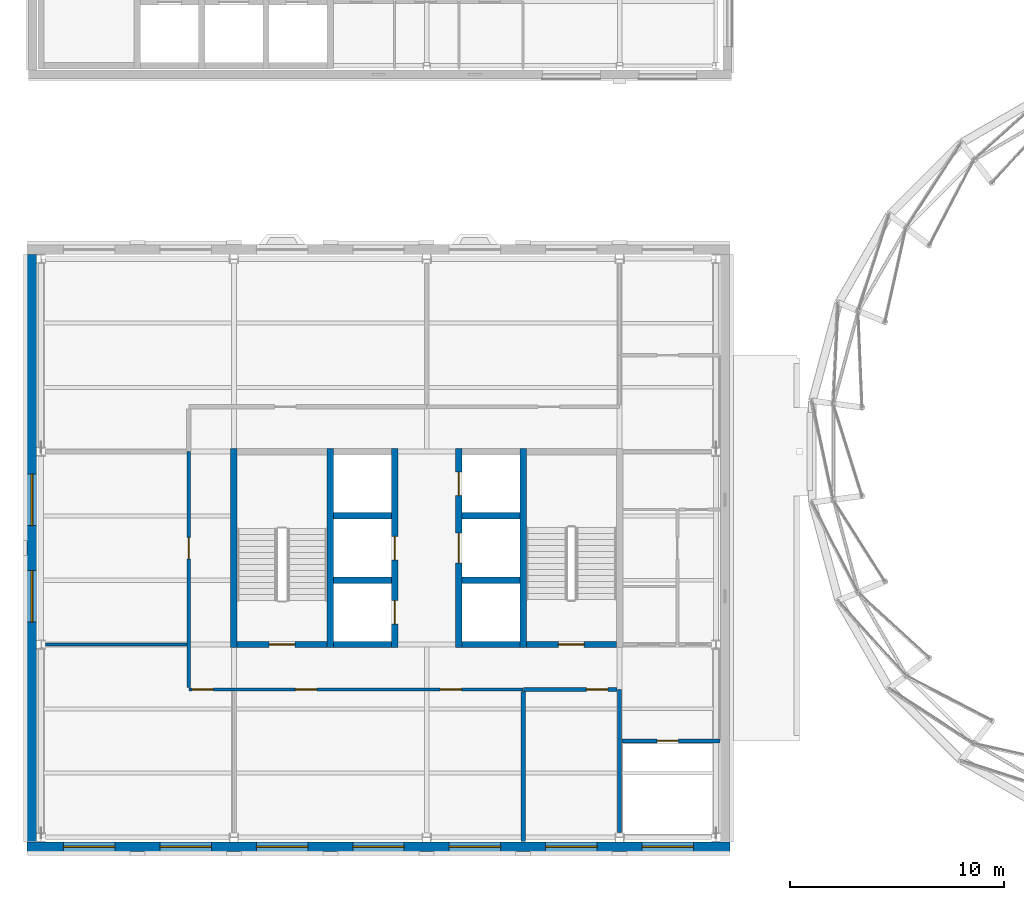
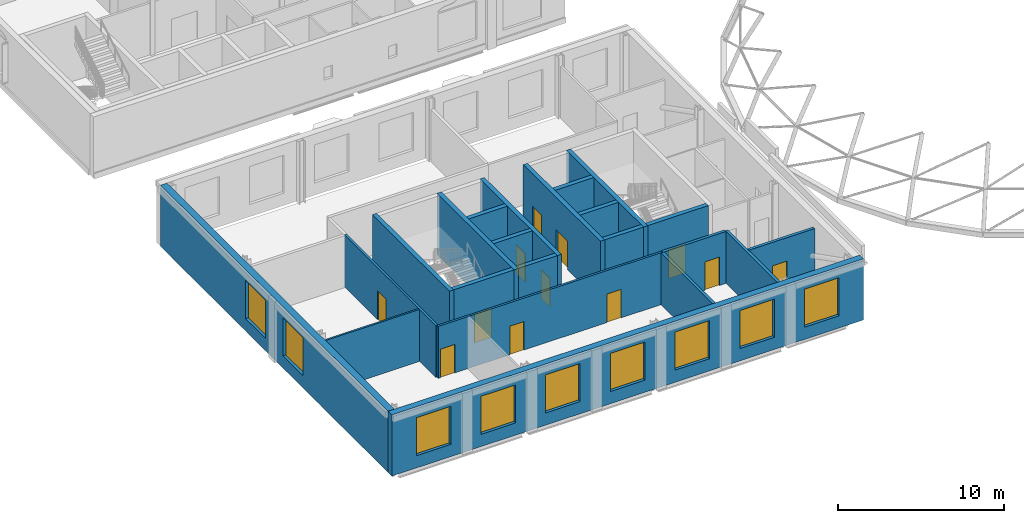
# One storey, part 23 of 59: 22 walls, 12 doors, 9 windows, 21 openings.
"""IFC4 building model written with IfcOpenShell, lengths in metres."""

import ifcopenshell
import ifcopenshell.guid

model = None  # the IFC model being written
_history = None  # IfcOwnerHistory: only IFC2X3 demands one
_inside = {}  # id of a spatial element -> (the spatial element, [elements in it])
_under = {}  # id of a project, library or spatial element -> (it, [spatial elements below it])
_declared = {}  # id of a project -> (the project, [libraries it declares])
_typed = {}  # id of a type object -> (the type object, [elements of that type])
_made_of = {}  # id of a material, layer set ... -> (it, [elements and type objects made of it])


def new_model(schema):
    """Start an empty IFC model of exactly this schema.

    Asked for "IFC4X3", IfcOpenShell would pick the latest addendum, in which some entities
    have other attributes; the version numbers below select the first issue.
    IFC2X3 requires an IfcOwnerHistory on every rooted entity: one is made here for all.
    """
    global model, _history
    if schema == "IFC4X3":
        model = ifcopenshell.file(schema_version=(4, 3, 0, 0))
    else:
        model = ifcopenshell.file(schema=schema)
    _inside.clear()
    _under.clear()
    _declared.clear()
    _typed.clear()
    _made_of.clear()
    _history = None
    if model.schema == "IFC2X3":
        org = make("IfcOrganization", Name="unknown")
        user = make(
            "IfcPersonAndOrganization",
            ThePerson=make("IfcPerson", FamilyName="unknown"),
            TheOrganization=org,
        )
        app = make(
            "IfcApplication",
            ApplicationDeveloper=org,
            Version="unknown",
            ApplicationFullName="unknown",
            ApplicationIdentifier="unknown",
        )
        _history = make(
            "IfcOwnerHistory",
            OwningUser=user,
            OwningApplication=app,
            ChangeAction="ADDED",
            CreationDate=0,
        )
    return model


def make(cls, **values):
    """One entity of the class cls with the attributes given. An attribute that is None is left unset."""
    return model.create_entity(
        cls, **{name: value for name, value in values.items() if value is not None}
    )


def rooted(cls, **values):
    """An entity with a GlobalId (a new one), such as an element, a storey or a relation."""
    return make(cls, GlobalId=ifcopenshell.guid.new(), OwnerHistory=_history, **values)


def si_unit(unit_type, name, prefix=None):
    """IfcSIUnit, for example si_unit("LENGTHUNIT", "METRE", prefix="MILLI")."""
    return make("IfcSIUnit", UnitType=unit_type, Prefix=prefix, Name=name)


def assignment(units):
    """IfcUnitAssignment: the units of a project."""
    return None if units is None else make("IfcUnitAssignment", Units=units)


def point(xyz):
    """IfcCartesianPoint."""
    return None if xyz is None else make("IfcCartesianPoint", Coordinates=xyz)


def direction(xyz):
    """IfcDirection."""
    return None if xyz is None else make("IfcDirection", DirectionRatios=xyz)


def frame(location, z_axis=None, x_axis=None):
    """IfcAxis2Placement3D, a coordinate frame: its origin and axes. An axis left out is left unset."""
    return make(
        "IfcAxis2Placement3D",
        Location=point(location),
        Axis=direction(z_axis),
        RefDirection=direction(x_axis),
    )


def frame_2d(location, x_axis=None):
    """IfcAxis2Placement2D, a coordinate frame in the plane: its origin and x axis."""
    return make(
        "IfcAxis2Placement2D", Location=point(location), RefDirection=direction(x_axis)
    )


def origin():
    """The frame at (0, 0, 0) with its axes left unset."""
    return frame((0.0, 0.0, 0.0))


def place(relative_to, where):
    """IfcLocalPlacement: puts the frame where relative to a parent placement (None: the world)."""
    return make(
        "IfcLocalPlacement", PlacementRelTo=relative_to, RelativePlacement=where
    )


def context(
    kind, dimensions, precision=None, world=None, true_north=None, identifier=None
):
    """IfcGeometricRepresentationContext, for example the 3D "Model" context."""
    return make(
        "IfcGeometricRepresentationContext",
        ContextIdentifier=identifier,
        ContextType=kind,
        CoordinateSpaceDimension=dimensions,
        Precision=precision,
        WorldCoordinateSystem=world,
        TrueNorth=true_north,
    )


def subcontext(parent, identifier, kind, view, scale=None):
    """IfcGeometricRepresentationSubContext, for example "Body" below "Model"."""
    return make(
        "IfcGeometricRepresentationSubContext",
        ContextIdentifier=identifier,
        ContextType=kind,
        ParentContext=parent,
        TargetScale=scale,
        TargetView=view,
    )


def project(units=None, contexts=None):
    """IfcProject with its units and contexts."""
    return rooted(
        "IfcProject",
        Name="project",
        RepresentationContexts=contexts,
        UnitsInContext=assignment(units),
    )


def spatial(cls, under=None, at=None, **own):
    """A site, building, storey or space (cls), placed at a placement, below another one or the project."""
    s = rooted(cls, ObjectPlacement=at, **own)
    if under is not None:
        _under.setdefault(under.id(), (under, []))[1].append(s)
    return s


def profile(cls, at=None, kind="AREA", **sizes):
    """A parametric profile (cls). Its sizes go by their IFC names, for example OverallWidth=200.0."""
    return make(cls, ProfileType=kind, Position=at, **sizes)


def rectangle(**sizes):
    """IfcRectangleProfileDef."""
    return profile("IfcRectangleProfileDef", **sizes)


def extrude(swept, where, along, depth):
    """IfcExtrudedAreaSolid: the profile swept, set in the frame where, extruded along a direction by depth."""
    return make(
        "IfcExtrudedAreaSolid",
        SweptArea=swept,
        Position=where,
        ExtrudedDirection=direction(along),
        Depth=depth,
    )


def shape(context_of_items, identifier, shape_type, items):
    """IfcShapeRepresentation: the items that make up one representation, for example the "Body"."""
    return make(
        "IfcShapeRepresentation",
        ContextOfItems=context_of_items,
        RepresentationIdentifier=identifier,
        RepresentationType=shape_type,
        Items=items,
    )


def material(Name=None, Category=None):
    """IfcMaterial."""
    return make("IfcMaterial", Name=Name, Category=Category)


def layer(
    of_material, thickness, ventilated=None, Name=None, Category=None, Priority=None
):
    """IfcMaterialLayer: one layer of a wall or slab, of a material (None: an air gap)."""
    return make(
        "IfcMaterialLayer",
        Material=of_material,
        LayerThickness=thickness,
        IsVentilated=ventilated,
        Name=Name,
        Category=Category,
        Priority=Priority,
    )


def layer_set(layers, Name=None):
    """IfcMaterialLayerSet."""
    return make("IfcMaterialLayerSet", MaterialLayers=layers, LayerSetName=Name)


def made_of(thing, what):
    """Note that an element or type object is made of a material, layer set ...; save() writes the relation."""
    if what is not None:
        _made_of.setdefault(what.id(), (what, []))[1].append(thing)
    return thing


def type_object(cls, material=None, **own):
    """A type object (cls), such as IfcWallType, which elements share."""
    return made_of(rooted(cls, **own), material)


def element(
    cls,
    number,
    at=None,
    inside=None,
    cuts=None,
    type_object=None,
    material=None,
    context=None,
    identifier="Body",
    shape_type=None,
    held_by="IfcProductDefinitionShape",
    body=None,
    shapes=None,
    **own,
):
    """One element of the class cls, such as IfcWall. Its Tag is "e" and its number.

    at: its placement. inside: the storey or other place that contains it. cuts: it is an
    opening in that element (IfcRelVoidsElement). A single representation is given by context,
    identifier, shape_type and body (its items); several are given by shapes. held_by: the class
    of the entity that holds the representations. save() writes the other relations.
    """
    e = rooted(cls, Tag="e%d" % number, ObjectPlacement=at, **own)
    if body is not None:
        shapes = [shape(context, identifier, shape_type, body)]
    if shapes is not None:
        e.Representation = make(held_by, Representations=shapes)
    if inside is not None:
        _inside.setdefault(inside.id(), (inside, []))[1].append(e)
    if cuts is not None:
        rooted(
            "IfcRelVoidsElement", RelatingBuildingElement=cuts, RelatedOpeningElement=e
        )
    if type_object is not None:
        _typed.setdefault(type_object.id(), (type_object, []))[1].append(e)
    return made_of(e, material)


def fill(opening, filler):
    """IfcRelFillsElement: the door or window that sits in an opening."""
    return rooted(
        "IfcRelFillsElement",
        RelatingOpeningElement=opening,
        RelatedBuildingElement=filler,
    )


def aggregate(whole, parts):
    """IfcRelAggregates: a whole, such as a stair, and the parts it consists of."""
    return rooted("IfcRelAggregates", RelatingObject=whole, RelatedObjects=parts)


def save(model, path):
    """Write the relations noted so far, then the file.

    IfcRelAggregates (storeys below a building ...), IfcRelContainedInSpatialStructure (elements
    in a storey), IfcRelDefinesByType, IfcRelAssociatesMaterial and IfcRelDeclares: one each for
    every whole, place, type object, material and project.
    """
    for whole, parts in _under.values():
        aggregate(whole, parts)
    for where, things in _inside.values():
        rooted(
            "IfcRelContainedInSpatialStructure",
            RelatedElements=things,
            RelatingStructure=where,
        )
    for kind, things in _typed.values():
        rooted("IfcRelDefinesByType", RelatedObjects=things, RelatingType=kind)
    for what, things in _made_of.values():
        rooted("IfcRelAssociatesMaterial", RelatedObjects=things, RelatingMaterial=what)
    for by, libraries in _declared.values():
        rooted("IfcRelDeclares", RelatingContext=by, RelatedDefinitions=libraries)
    model.write(path)


model = new_model("IFC4")

# Units and contexts
model_context = context("Model", 3, precision=1e-05, world=origin(), true_north=direction((0.0, 1.0)))
body_context = subcontext(model_context, "Body", "Model", "MODEL_VIEW")
ifc_project = project(units=[si_unit("LENGTHUNIT", "METRE"), si_unit("AREAUNIT", "SQUARE_METRE"), si_unit("VOLUMEUNIT", "CUBIC_METRE"), si_unit("PLANEANGLEUNIT", "RADIAN"), si_unit("MASSUNIT", "GRAM", prefix="KILO")], contexts=[model_context])

# Site, building, storey
site_placement = place(None, origin())
site = spatial("IfcSite", under=ifc_project, at=site_placement, CompositionType="ELEMENT")
building_placement = place(site_placement, origin())
building = spatial("IfcBuilding", under=site, at=building_placement, Name="Hortulan Conservatory and Botanical Research Centre", CompositionType="ELEMENT")
storey_placement = place(building_placement, frame((0.0, 0.0, 10.5)))
storey = spatial("IfcBuildingStorey", under=building, at=storey_placement, Name="L02", CompositionType="ELEMENT", Elevation=10.5)

# Walls
ifc_material_1 = material(Name="Fire-rated plasterboard on steel studs", Category="steel")
ifc_layer_1 = layer(ifc_material_1, 0.199951171875)
ifc_layer_set_1 = layer_set([ifc_layer_1], Name="Compartment Partition 200")
wall_type_1 = type_object("IfcWallType", Name="Compartment Partition 200", PredefinedType="PARTITIONING", material=ifc_layer_set_1)
wall_1_placement = place(storey_placement, frame((22.5, -0.200927734375, 0.0), z_axis=(0.0, 0.0, 1.0), x_axis=(0.0, 1.0, 0.0)))
element("IfcWall", 1, at=wall_1_placement, inside=storey, type_object=wall_type_1, Name="Store wall", PredefinedType="PARTITIONING", context=body_context, shape_type="SweptSolid", body=[
    extrude(rectangle(XDim=7.015869140625, YDim=0.199951171875, at=frame_2d((3.5078125, 0.0))), origin(), (0.0, 0.0, 1.0), 3.822021484375),
])
wall_2_placement = place(storey_placement, frame((27.0, 0.220947265625, 0.0), z_axis=(0.0, 0.0, 1.0), x_axis=(0.0, 1.0, 0.0)))
element("IfcWall", 2, at=wall_2_placement, inside=storey, type_object=wall_type_1, Name="Store wall", PredefinedType="PARTITIONING", context=body_context, shape_type="SweptSolid", body=[
    extrude(rectangle(XDim=6.678955078125, YDim=0.199951171875, at=frame_2d((3.33935546875, 0.0))), origin(), (0.0, 0.0, 1.0), 3.822021484375),
])

# Wall, opening, door
wall_3_placement = place(storey_placement, frame((27.110107421875, 4.5, 0.0), z_axis=(0.0, 0.0, 1.0), x_axis=(1.0, 0.0, 0.0)))
wall_3 = element("IfcWall", 3, at=wall_3_placement, inside=storey, type_object=wall_type_1, Name="Riser wall", PredefinedType="PARTITIONING", context=body_context, shape_type="SweptSolid", body=[
    extrude(rectangle(XDim=4.579833984375, YDim=0.199951171875, at=frame_2d((2.2900390625, 0.0))), origin(), (0.0, 0.0, 1.0), 3.822021484375),
])
opening_1_placement = place(wall_3_placement, frame((1.639892578125, 0.0, 0.0)))
opening_1 = element("IfcOpeningElement", 4, at=opening_1_placement, cuts=wall_3, Name="Opening DT6", PredefinedType="OPENING", context=body_context, shape_type="SweptSolid", body=[
    extrude(rectangle(XDim=1.0, YDim=2.10009765625, at=frame_2d((0.5, 1.050048828125))), frame((0.0, 0.10986328125, 0.0), z_axis=(0.0, -1.0, 0.0), x_axis=(1.0, 0.0, 0.0)), (0.0, 0.0, 1.0), 0.219970703125),
])
ifc_material_2 = material(Name="Steel door leaf, insulated", Category="steel")
door_type_1 = type_object("IfcDoorType", Name="Fire Door 1000x2100 FRL -/120/30", OperationType="NOTDEFINED", PredefinedType="DOOR", material=ifc_material_2)
door_1_placement = place(opening_1_placement, frame((1.0, 0.0, 0.0), z_axis=(0.0, 0.0, 1.0), x_axis=(-1.0, 0.0, 0.0)))
door_1 = element("IfcDoor", 5, at=door_1_placement, inside=storey, type_object=door_type_1, Name="Door DT6 Services Riser", OperationType="SINGLE_SWING_LEFT", OverallHeight=2.10009765625, OverallWidth=1.0, PredefinedType="DOOR", context=body_context, shape_type="SweptSolid", body=[
    extrude(rectangle(XDim=1.0, YDim=2.10009765625, at=frame_2d((0.5, 1.050048828125))), frame((0.0, 0.02490234375, 0.0), z_axis=(0.0, -1.0, 0.0), x_axis=(1.0, 0.0, 0.0)), (0.0, 0.0, 1.0), 0.050048828125),
])
fill(opening_1, door_1)

wall_4_placement = place(storey_placement, frame((22.510009765625, 6.89990234375, 0.0), z_axis=(0.0, 0.0, 1.0), x_axis=(1.0, 0.0, 0.0)))
wall_4 = element("IfcWall", 6, at=wall_4_placement, inside=storey, type_object=wall_type_1, Name="Store wall", PredefinedType="PARTITIONING", context=body_context, shape_type="SweptSolid", body=[
    extrude(rectangle(XDim=4.3798828125, YDim=0.199951171875, at=frame_2d((2.18994140625, 0.0))), origin(), (0.0, 0.0, 1.0), 3.822021484375),
])
opening_2_placement = place(wall_4_placement, frame((2.93994140625, 0.0, 0.0)))
opening_2 = element("IfcOpeningElement", 7, at=opening_2_placement, cuts=wall_4, Name="Opening DT6", PredefinedType="OPENING", context=body_context, shape_type="SweptSolid", body=[
    extrude(rectangle(XDim=1.0, YDim=2.10009765625, at=frame_2d((0.5, 1.050048828125))), frame((0.0, 0.10986328125, 0.0), z_axis=(0.0, -1.0, 0.0), x_axis=(1.0, 0.0, 0.0)), (0.0, 0.0, 1.0), 0.219970703125),
])
door_2_placement = place(opening_2_placement, frame((1.0, 0.0, 0.0), z_axis=(0.0, 0.0, 1.0), x_axis=(-1.0, 0.0, 0.0)))
door_2 = element("IfcDoor", 8, at=door_2_placement, inside=storey, type_object=door_type_1, Name="Door DT6 Quarantine and Freezer Room", OperationType="SINGLE_SWING_LEFT", OverallHeight=2.10009765625, OverallWidth=1.0, PredefinedType="DOOR", context=body_context, shape_type="SweptSolid", body=[
    extrude(rectangle(XDim=1.0, YDim=2.10009765625, at=frame_2d((0.5, 1.050048828125))), frame((0.0, 0.02490234375, 0.0), z_axis=(0.0, -1.0, 0.0), x_axis=(1.0, 0.0, 0.0)), (0.0, 0.0, 1.0), 0.050048828125),
])
fill(opening_2, door_2)

# Walls
ifc_material_3 = material(Name="Concrete N50 (50 MPa, AS 3600)", Category="concrete")
ifc_layer_2 = layer(ifc_material_3, 0.300048828125)
ifc_layer_set_2 = layer_set([ifc_layer_2], Name="Core Wall 300 N50 FRL 240/120/120")
wall_type_2 = type_object("IfcWallType", Name="Core Wall 300 N50 FRL 240/120/120", PredefinedType="SHEAR", material=ifc_layer_set_2)
for number, where, z_axis, x_axis, name in (
    (9, (9.0, 8.85009765625, 0.0), (0.0, 0.0, 1.0), (0.0, 1.0, 0.0), "Reinforced concrete shaft wall"),
    (10, (13.5, 8.85009765625, 0.0), (0.0, 0.0, 1.0), (0.0, 1.0, 0.0), "Reinforced concrete shaft wall"),
):
    element("IfcWall", number, at=place(storey_placement, frame(where, z_axis=z_axis, x_axis=x_axis)), inside=storey, type_object=wall_type_2, Name=name, PredefinedType="SHEAR", context=body_context, shape_type="SweptSolid", body=[
        extrude(rectangle(XDim=9.2998046875, YDim=0.300048828125, at=frame_2d((4.64990234375, 0.0))), origin(), (0.0, 0.0, 1.0), 4.5),
    ])

# Wall, openings, doors
wall_5_placement = place(storey_placement, frame((16.5, 8.85009765625, 0.0), z_axis=(0.0, 0.0, 1.0), x_axis=(0.0, 1.0, 0.0)))
wall_5 = element("IfcWall", 11, at=wall_5_placement, inside=storey, type_object=wall_type_2, Name="Reinforced concrete shaft wall", PredefinedType="SHEAR", context=body_context, shape_type="SweptSolid", body=[
    extrude(rectangle(XDim=9.2998046875, YDim=0.300048828125, at=frame_2d((4.64990234375, 0.0))), origin(), (0.0, 0.0, 1.0), 4.5),
])
opening_3_placement = place(wall_5_placement, frame((1.10009765625, 0.0, 0.0)))
opening_3 = element("IfcOpeningElement", 12, at=opening_3_placement, cuts=wall_5, Name="Opening LD1", PredefinedType="OPENING", context=body_context, shape_type="SweptSolid", body=[
    extrude(rectangle(XDim=1.10009765625, YDim=2.10009765625, at=frame_2d((0.550048828125, 1.050048828125))), frame((0.0, 0.159912109375, 0.0), z_axis=(0.0, -1.0, 0.0), x_axis=(1.0, 0.0, 0.0)), (0.0, 0.0, 1.0), 0.320068359375),
])
opening_4_placement = place(wall_5_placement, frame((4.10009765625, 0.0, 0.0)))
opening_4 = element("IfcOpeningElement", 13, at=opening_4_placement, cuts=wall_5, Name="Opening LD1", PredefinedType="OPENING", context=body_context, shape_type="SweptSolid", body=[
    extrude(rectangle(XDim=1.10009765625, YDim=2.10009765625, at=frame_2d((0.550048828125, 1.050048828125))), frame((0.0, 0.159912109375, 0.0), z_axis=(0.0, -1.0, 0.0), x_axis=(1.0, 0.0, 0.0)), (0.0, 0.0, 1.0), 0.320068359375),
])
ifc_material_4 = material(Name="Stainless steel door leaves in steel frame", Category="steel")
door_type_2 = type_object("IfcDoorType", Name="Lift Landing Door 1100x2100", OperationType="DOUBLE_DOOR_SLIDING", PredefinedType="DOOR", material=ifc_material_4)
door_3_placement = place(opening_3_placement, origin())
door_3 = element("IfcDoor", 14, at=door_3_placement, inside=storey, type_object=door_type_2, Name="Lift LP1 landing door L02", OperationType="DOUBLE_DOOR_SLIDING", OverallHeight=2.10009765625, OverallWidth=1.10009765625, PredefinedType="DOOR", context=body_context, shape_type="SweptSolid", body=[
    extrude(rectangle(XDim=1.10009765625, YDim=2.10009765625, at=frame_2d((0.550048828125, 1.050048828125))), frame((0.0, 0.02490234375, 0.0), z_axis=(0.0, -1.0, 0.0), x_axis=(1.0, 0.0, 0.0)), (0.0, 0.0, 1.0), 0.050048828125),
])
fill(opening_3, door_3)
door_4_placement = place(opening_4_placement, origin())
door_4 = element("IfcDoor", 15, at=door_4_placement, inside=storey, type_object=door_type_2, Name="Lift LP2 landing door L02", OperationType="DOUBLE_DOOR_SLIDING", OverallHeight=2.10009765625, OverallWidth=1.10009765625, PredefinedType="DOOR", context=body_context, shape_type="SweptSolid", body=[
    extrude(rectangle(XDim=1.10009765625, YDim=2.10009765625, at=frame_2d((0.550048828125, 1.050048828125))), frame((0.0, 0.02490234375, 0.0), z_axis=(0.0, -1.0, 0.0), x_axis=(1.0, 0.0, 0.0)), (0.0, 0.0, 1.0), 0.050048828125),
])
fill(opening_4, door_4)

wall_6_placement = place(storey_placement, frame((19.5, 8.85009765625, 0.0), z_axis=(0.0, 0.0, 1.0), x_axis=(0.0, 1.0, 0.0)))
wall_6 = element("IfcWall", 16, at=wall_6_placement, inside=storey, type_object=wall_type_2, Name="Reinforced concrete shaft wall", PredefinedType="SHEAR", context=body_context, shape_type="SweptSolid", body=[
    extrude(rectangle(XDim=9.2998046875, YDim=0.300048828125, at=frame_2d((4.64990234375, 0.0))), origin(), (0.0, 0.0, 1.0), 4.5),
])
opening_5_placement = place(wall_6_placement, frame((3.949951171875, 0.0, 0.0)))
opening_5 = element("IfcOpeningElement", 17, at=opening_5_placement, cuts=wall_6, Name="Opening LD2", PredefinedType="OPENING", context=body_context, shape_type="SweptSolid", body=[
    extrude(rectangle(XDim=1.39990234375, YDim=2.10009765625, at=frame_2d((0.699951171875, 1.050048828125))), frame((0.0, 0.159912109375, 0.0), z_axis=(0.0, -1.0, 0.0), x_axis=(1.0, 0.0, 0.0)), (0.0, 0.0, 1.0), 0.320068359375),
])
opening_6_placement = place(wall_6_placement, frame((7.10009765625, 0.0, 0.0)))
opening_6 = element("IfcOpeningElement", 18, at=opening_6_placement, cuts=wall_6, Name="Opening LD1", PredefinedType="OPENING", context=body_context, shape_type="SweptSolid", body=[
    extrude(rectangle(XDim=1.10009765625, YDim=2.10009765625, at=frame_2d((0.550048828125, 1.050048828125))), frame((0.0, 0.159912109375, 0.0), z_axis=(0.0, -1.0, 0.0), x_axis=(1.0, 0.0, 0.0)), (0.0, 0.0, 1.0), 0.320068359375),
])
door_5_placement = place(opening_6_placement, origin())
door_5 = element("IfcDoor", 19, at=door_5_placement, inside=storey, type_object=door_type_2, Name="Lift LF1 landing door L02", OperationType="DOUBLE_DOOR_SLIDING", OverallHeight=2.10009765625, OverallWidth=1.10009765625, PredefinedType="DOOR", context=body_context, shape_type="SweptSolid", body=[
    extrude(rectangle(XDim=1.10009765625, YDim=2.10009765625, at=frame_2d((0.550048828125, 1.050048828125))), frame((0.0, 0.02490234375, 0.0), z_axis=(0.0, -1.0, 0.0), x_axis=(1.0, 0.0, 0.0)), (0.0, 0.0, 1.0), 0.050048828125),
])
fill(opening_6, door_5)
door_type_3 = type_object("IfcDoorType", Name="Lift Landing Door 1400x2100", OperationType="DOUBLE_DOOR_SLIDING", PredefinedType="DOOR", material=ifc_material_4)
door_6_placement = place(opening_5_placement, origin())
door_6 = element("IfcDoor", 20, at=door_6_placement, inside=storey, type_object=door_type_3, Name="Lift LG1 landing door L02", OperationType="DOUBLE_DOOR_SLIDING", OverallHeight=2.10009765625, OverallWidth=1.39990234375, PredefinedType="DOOR", context=body_context, shape_type="SweptSolid", body=[
    extrude(rectangle(XDim=1.39990234375, YDim=2.10009765625, at=frame_2d((0.699951171875, 1.050048828125))), frame((0.0, 0.02490234375, 0.0), z_axis=(0.0, -1.0, 0.0), x_axis=(1.0, 0.0, 0.0)), (0.0, 0.0, 1.0), 0.050048828125),
])
fill(opening_5, door_6)

# Wall
wall_7_placement = place(storey_placement, frame((22.5, 8.85009765625, 0.0), z_axis=(0.0, 0.0, 1.0), x_axis=(0.0, 1.0, 0.0)))
element("IfcWall", 21, at=wall_7_placement, inside=storey, type_object=wall_type_2, Name="Reinforced concrete shaft wall", PredefinedType="SHEAR", context=body_context, shape_type="SweptSolid", body=[
    extrude(rectangle(XDim=9.2998046875, YDim=0.300048828125, at=frame_2d((4.64990234375, 0.0))), origin(), (0.0, 0.0, 1.0), 4.5),
])

# Wall, opening, door
wall_8_placement = place(storey_placement, frame((9.14990234375, 9.0, 0.0), z_axis=(0.0, 0.0, 1.0), x_axis=(1.0, 0.0, 0.0)))
wall_8 = element("IfcWall", 22, at=wall_8_placement, inside=storey, type_object=wall_type_2, Name="Reinforced concrete shaft wall", PredefinedType="SHEAR", context=body_context, shape_type="SweptSolid", body=[
    extrude(rectangle(XDim=4.2001953125, YDim=0.300048828125, at=frame_2d((2.10009765625, 0.0))), origin(), (0.0, 0.0, 1.0), 4.5),
])
opening_7_placement = place(wall_8_placement, frame((1.5, 0.0, 0.0)))
opening_7 = element("IfcOpeningElement", 23, at=opening_7_placement, cuts=wall_8, Name="Opening DT5", PredefinedType="OPENING", context=body_context, shape_type="SweptSolid", body=[
    extrude(rectangle(XDim=1.199951171875, YDim=2.10009765625, at=frame_2d((0.60009765625, 1.050048828125))), frame((0.0, 0.159912109375, 0.0), z_axis=(0.0, -1.0, 0.0), x_axis=(1.0, 0.0, 0.0)), (0.0, 0.0, 1.0), 0.320068359375),
])
door_type_4 = type_object("IfcDoorType", Name="Stair Door 1200x2100 FRL -/120/30", OperationType="NOTDEFINED", PredefinedType="DOOR", material=ifc_material_2)
door_7_placement = place(opening_7_placement, origin())
door_7 = element("IfcDoor", 24, at=door_7_placement, inside=storey, type_object=door_type_4, Name="Door DT5 Exit Stair T1", OperationType="SINGLE_SWING_RIGHT", OverallHeight=2.10009765625, OverallWidth=1.199951171875, PredefinedType="DOOR", context=body_context, shape_type="SweptSolid", body=[
    extrude(rectangle(XDim=1.199951171875, YDim=2.10009765625, at=frame_2d((0.60009765625, 1.050048828125))), frame((0.0, 0.02490234375, 0.0), z_axis=(0.0, -1.0, 0.0), x_axis=(1.0, 0.0, 0.0)), (0.0, 0.0, 1.0), 0.050048828125),
])
fill(opening_7, door_7)

# Walls
for number, where, z_axis, x_axis, name in (
    (25, (13.64990234375, 9.0, 0.0), (0.0, 0.0, 1.0), (1.0, 0.0, 0.0), "Reinforced concrete shaft wall"),
    (26, (19.64990234375, 9.0, 0.0), (0.0, 0.0, 1.0), (1.0, 0.0, 0.0), "Reinforced concrete shaft wall"),
):
    element("IfcWall", number, at=place(storey_placement, frame(where, z_axis=z_axis, x_axis=x_axis)), inside=storey, type_object=wall_type_2, Name=name, PredefinedType="SHEAR", context=body_context, shape_type="SweptSolid", body=[
        extrude(rectangle(XDim=2.7001953125, YDim=0.300048828125, at=frame_2d((1.35009765625, 0.0))), origin(), (0.0, 0.0, 1.0), 4.5),
    ])

# Wall, opening, door
wall_9_placement = place(storey_placement, frame((22.64990234375, 9.0, 0.0), z_axis=(0.0, 0.0, 1.0), x_axis=(1.0, 0.0, 0.0)))
wall_9 = element("IfcWall", 27, at=wall_9_placement, inside=storey, type_object=wall_type_2, Name="Reinforced concrete shaft wall", PredefinedType="SHEAR", context=body_context, shape_type="SweptSolid", body=[
    extrude(rectangle(XDim=4.2001953125, YDim=0.300048828125, at=frame_2d((2.10009765625, 0.0))), origin(), (0.0, 0.0, 1.0), 4.5),
])
opening_8_placement = place(wall_9_placement, frame((1.5, 0.0, 0.0)))
opening_8 = element("IfcOpeningElement", 28, at=opening_8_placement, cuts=wall_9, Name="Opening DT5", PredefinedType="OPENING", context=body_context, shape_type="SweptSolid", body=[
    extrude(rectangle(XDim=1.199951171875, YDim=2.10009765625, at=frame_2d((0.60009765625, 1.050048828125))), frame((0.0, 0.159912109375, 0.0), z_axis=(0.0, -1.0, 0.0), x_axis=(1.0, 0.0, 0.0)), (0.0, 0.0, 1.0), 0.320068359375),
])
door_8_placement = place(opening_8_placement, origin())
door_8 = element("IfcDoor", 29, at=door_8_placement, inside=storey, type_object=door_type_4, Name="Door DT5 Exit Stair T2", OperationType="SINGLE_SWING_LEFT", OverallHeight=2.10009765625, OverallWidth=1.199951171875, PredefinedType="DOOR", context=body_context, shape_type="SweptSolid", body=[
    extrude(rectangle(XDim=1.199951171875, YDim=2.10009765625, at=frame_2d((0.60009765625, 1.050048828125))), frame((0.0, 0.02490234375, 0.0), z_axis=(0.0, -1.0, 0.0), x_axis=(1.0, 0.0, 0.0)), (0.0, 0.0, 1.0), 0.050048828125),
])
fill(opening_8, door_8)

# Walls
for number, where, z_axis, x_axis, name in (
    (30, (13.64990234375, 12.0, 0.0), (0.0, 0.0, 1.0), (1.0, 0.0, 0.0), "Reinforced concrete shaft wall"),
    (31, (19.64990234375, 12.0, 0.0), (0.0, 0.0, 1.0), (1.0, 0.0, 0.0), "Reinforced concrete shaft wall"),
    (32, (13.64990234375, 15.0, 0.0), (0.0, 0.0, 1.0), (1.0, 0.0, 0.0), "Reinforced concrete shaft wall"),
    (33, (19.64990234375, 15.0, 0.0), (0.0, 0.0, 1.0), (1.0, 0.0, 0.0), "Reinforced concrete shaft wall"),
):
    element("IfcWall", number, at=place(storey_placement, frame(where, z_axis=z_axis, x_axis=x_axis)), inside=storey, type_object=wall_type_2, Name=name, PredefinedType="SHEAR", context=body_context, shape_type="SweptSolid", body=[
        extrude(rectangle(XDim=2.7001953125, YDim=0.300048828125, at=frame_2d((1.35009765625, 0.0))), origin(), (0.0, 0.0, 1.0), 4.5),
    ])

# Wall, opening, door
ifc_material_5 = material(Name="Plasterboard on steel studs", Category="steel")
ifc_layer_3 = layer(ifc_material_5, 0.14990234375)
ifc_layer_set_3 = layer_set([ifc_layer_3], Name="Corridor Partition 150")
wall_type_3 = type_object("IfcWallType", Name="Corridor Partition 150", PredefinedType="PARTITIONING", material=ifc_layer_set_3)
wall_10_placement = place(storey_placement, frame((6.89990234375, 6.985107421875, 0.0), z_axis=(0.0, 0.0, 1.0), x_axis=(0.0, 1.0, 0.0)))
wall_10 = element("IfcWall", 34, at=wall_10_placement, inside=storey, type_object=wall_type_3, Name="Corridor partition", PredefinedType="PARTITIONING", context=body_context, shape_type="SweptSolid", body=[
    extrude(rectangle(XDim=11.014892578125, YDim=0.14990234375, at=frame_2d((5.50732421875, 0.0))), origin(), (0.0, 0.0, 1.0), 3.822021484375),
])
opening_9_placement = place(wall_10_placement, frame((6.014892578125, 0.0, 0.0)))
opening_9 = element("IfcOpeningElement", 35, at=opening_9_placement, cuts=wall_10, Name="Opening DT1", PredefinedType="OPENING", context=body_context, shape_type="SweptSolid", body=[
    extrude(rectangle(XDim=1.0, YDim=2.10009765625, at=frame_2d((0.5, 1.050048828125))), frame((0.0, 0.0849609375, 0.0), z_axis=(0.0, -1.0, 0.0), x_axis=(1.0, 0.0, 0.0)), (0.0, 0.0, 1.0), 0.169921875),
])
ifc_material_6 = material(Name="Timber door leaf in timber frame", Category="wood")
door_type_5 = type_object("IfcDoorType", Name="Single Door 1000x2100", OperationType="NOTDEFINED", PredefinedType="DOOR", material=ifc_material_6)
door_9_placement = place(opening_9_placement, origin())
door_9 = element("IfcDoor", 36, at=door_9_placement, inside=storey, type_object=door_type_5, Name="Door DT1 Botanical Illustration Studio", OperationType="SINGLE_SWING_LEFT", OverallHeight=2.10009765625, OverallWidth=1.0, PredefinedType="DOOR", context=body_context, shape_type="SweptSolid", body=[
    extrude(rectangle(XDim=1.0, YDim=2.10009765625, at=frame_2d((0.5, 1.050048828125))), frame((0.0, 0.02490234375, 0.0), z_axis=(0.0, -1.0, 0.0), x_axis=(1.0, 0.0, 0.0)), (0.0, 0.0, 1.0), 0.050048828125),
])
fill(opening_9, door_9)

# Wall, openings, doors
wall_11_placement = place(storey_placement, frame((6.89990234375, 6.89990234375, 0.0), z_axis=(0.0, 0.0, 1.0), x_axis=(1.0, 0.0, 0.0)))
wall_11 = element("IfcWall", 37, at=wall_11_placement, inside=storey, type_object=wall_type_3, Name="Corridor partition", PredefinedType="PARTITIONING", context=body_context, shape_type="SweptSolid", body=[
    extrude(rectangle(XDim=15.60009765625, YDim=0.14990234375, at=frame_2d((7.800048828125, 0.0))), origin(), (0.0, 0.0, 1.0), 3.822021484375),
])
opening_10_placement = place(wall_11_placement, frame((0.14990234375, 0.0, 0.0)))
opening_10 = element("IfcOpeningElement", 38, at=opening_10_placement, cuts=wall_11, Name="Opening DT1", PredefinedType="OPENING", context=body_context, shape_type="SweptSolid", body=[
    extrude(rectangle(XDim=1.0, YDim=2.10009765625, at=frame_2d((0.5, 1.050048828125))), frame((0.0, 0.0849609375, 0.0), z_axis=(0.0, -1.0, 0.0), x_axis=(1.0, 0.0, 0.0)), (0.0, 0.0, 1.0), 0.169921875),
])
opening_11_placement = place(wall_11_placement, frame((11.72509765625, 0.0, 0.0)))
opening_11 = element("IfcOpeningElement", 39, at=opening_11_placement, cuts=wall_11, Name="Opening DT1", PredefinedType="OPENING", context=body_context, shape_type="SweptSolid", body=[
    extrude(rectangle(XDim=1.0, YDim=2.10009765625, at=frame_2d((0.5, 1.050048828125))), frame((0.0, 0.0849609375, 0.0), z_axis=(0.0, -1.0, 0.0), x_axis=(1.0, 0.0, 0.0)), (0.0, 0.0, 1.0), 0.169921875),
])
opening_12_placement = place(wall_11_placement, frame((4.97509765625, 0.0, 0.0)))
opening_12 = element("IfcOpeningElement", 40, at=opening_12_placement, cuts=wall_11, Name="Opening DT1", PredefinedType="OPENING", context=body_context, shape_type="SweptSolid", body=[
    extrude(rectangle(XDim=1.0, YDim=2.10009765625, at=frame_2d((0.5, 1.050048828125))), frame((0.0, 0.0849609375, 0.0), z_axis=(0.0, -1.0, 0.0), x_axis=(1.0, 0.0, 0.0)), (0.0, 0.0, 1.0), 0.169921875),
])
door_10_placement = place(opening_10_placement, frame((1.0, 0.0, 0.0), z_axis=(0.0, 0.0, 1.0), x_axis=(-1.0, 0.0, 0.0)))
door_10 = element("IfcDoor", 41, at=door_10_placement, inside=storey, type_object=door_type_5, Name="Door DT1 Herbarium Mounting Room", OperationType="SINGLE_SWING_RIGHT", OverallHeight=2.10009765625, OverallWidth=1.0, PredefinedType="DOOR", context=body_context, shape_type="SweptSolid", body=[
    extrude(rectangle(XDim=1.0, YDim=2.10009765625, at=frame_2d((0.5, 1.050048828125))), frame((0.0, 0.02490234375, 0.0), z_axis=(0.0, -1.0, 0.0), x_axis=(1.0, 0.0, 0.0)), (0.0, 0.0, 1.0), 0.050048828125),
])
fill(opening_10, door_10)
door_11_placement = place(opening_11_placement, frame((1.0, 0.0, 0.0), z_axis=(0.0, 0.0, 1.0), x_axis=(-1.0, 0.0, 0.0)))
door_11 = element("IfcDoor", 42, at=door_11_placement, inside=storey, type_object=door_type_5, Name="Door DT1 Specimen Preparation Room", OperationType="SINGLE_SWING_LEFT", OverallHeight=2.10009765625, OverallWidth=1.0, PredefinedType="DOOR", context=body_context, shape_type="SweptSolid", body=[
    extrude(rectangle(XDim=1.0, YDim=2.10009765625, at=frame_2d((0.5, 1.050048828125))), frame((0.0, 0.02490234375, 0.0), z_axis=(0.0, -1.0, 0.0), x_axis=(1.0, 0.0, 0.0)), (0.0, 0.0, 1.0), 0.050048828125),
])
fill(opening_11, door_11)
door_12_placement = place(opening_12_placement, frame((1.0, 0.0, 0.0), z_axis=(0.0, 0.0, 1.0), x_axis=(-1.0, 0.0, 0.0)))
door_12 = element("IfcDoor", 43, at=door_12_placement, inside=storey, type_object=door_type_5, Name="Door DT1 Specimen Preparation Room", OperationType="SINGLE_SWING_RIGHT", OverallHeight=2.10009765625, OverallWidth=1.0, PredefinedType="DOOR", context=body_context, shape_type="SweptSolid", body=[
    extrude(rectangle(XDim=1.0, YDim=2.10009765625, at=frame_2d((0.5, 1.050048828125))), frame((0.0, 0.02490234375, 0.0), z_axis=(0.0, -1.0, 0.0), x_axis=(1.0, 0.0, 0.0)), (0.0, 0.0, 1.0), 0.050048828125),
])
fill(opening_12, door_12)

# Wall
ifc_layer_4 = layer(ifc_material_5, 0.125)
ifc_layer_set_4 = layer_set([ifc_layer_4], Name="Partition 125")
wall_type_4 = type_object("IfcWallType", Name="Partition 125", PredefinedType="PARTITIONING", material=ifc_layer_set_4)
wall_12_placement = place(storey_placement, frame((0.2099609375, 9.0, 0.0), z_axis=(0.0, 0.0, 1.0), x_axis=(1.0, 0.0, 0.0)))
element("IfcWall", 44, at=wall_12_placement, inside=storey, type_object=wall_type_4, Name="Partition", PredefinedType="PARTITIONING", context=body_context, shape_type="SweptSolid", body=[
    extrude(rectangle(XDim=6.60498046875, YDim=0.125, at=frame_2d((3.302490234375, 0.0))), origin(), (0.0, 0.0, 1.0), 3.822021484375),
])

# Wall, openings, windows
ifc_material_7 = material(Name="Sandstone masonry (Hawkesbury yellow block)", Category="masonry")
ifc_layer_5 = layer(ifc_material_7, 0.449951171875)
ifc_layer_set_5 = layer_set([ifc_layer_5], Name="Sandstone Masonry Cavity Wall 450")
wall_type_5 = type_object("IfcWallType", Name="Sandstone Masonry Cavity Wall 450", PredefinedType="STANDARD", material=ifc_layer_set_5)
wall_13_placement = place(storey_placement, frame((32.14990234375, -0.43603515625, 0.0), z_axis=(0.0, 0.0, 1.0), x_axis=(-1.0, 0.0, 0.0)))
wall_13 = element("IfcWall", 45, at=wall_13_placement, inside=storey, type_object=wall_type_5, Name="E-EW-TW-L02-S1", PredefinedType="STANDARD", context=body_context, shape_type="SweptSolid", body=[
    extrude(rectangle(XDim=32.7998046875, YDim=0.449951171875, at=frame_2d((16.39990234375, 0.0))), origin(), (0.0, 0.0, 1.0), 4.5),
])
opening_13_placement = place(wall_13_placement, frame((28.699951171875, 0.0, 0.89990234375)))
opening_13 = element("IfcOpeningElement", 46, at=opening_13_placement, cuts=wall_13, Name="Opening W2", PredefinedType="OPENING", context=body_context, shape_type="SweptSolid", body=[
    extrude(rectangle(XDim=2.39990234375, YDim=2.800048828125, at=frame_2d((1.199951171875, 1.39990234375))), frame((0.0, 0.23486328125, 0.0), z_axis=(0.0, -1.0, 0.0), x_axis=(1.0, 0.0, 0.0)), (0.0, 0.0, 1.0), 0.469970703125),
])
opening_14_placement = place(wall_13_placement, frame((24.199951171875, 0.0, 0.89990234375)))
opening_14 = element("IfcOpeningElement", 47, at=opening_14_placement, cuts=wall_13, Name="Opening W2", PredefinedType="OPENING", context=body_context, shape_type="SweptSolid", body=[
    extrude(rectangle(XDim=2.39990234375, YDim=2.800048828125, at=frame_2d((1.199951171875, 1.39990234375))), frame((0.0, 0.23486328125, 0.0), z_axis=(0.0, -1.0, 0.0), x_axis=(1.0, 0.0, 0.0)), (0.0, 0.0, 1.0), 0.469970703125),
])
opening_15_placement = place(wall_13_placement, frame((19.699951171875, 0.0, 0.89990234375)))
opening_15 = element("IfcOpeningElement", 48, at=opening_15_placement, cuts=wall_13, Name="Opening W2", PredefinedType="OPENING", context=body_context, shape_type="SweptSolid", body=[
    extrude(rectangle(XDim=2.39990234375, YDim=2.800048828125, at=frame_2d((1.199951171875, 1.39990234375))), frame((0.0, 0.23486328125, 0.0), z_axis=(0.0, -1.0, 0.0), x_axis=(1.0, 0.0, 0.0)), (0.0, 0.0, 1.0), 0.469970703125),
])
opening_16_placement = place(wall_13_placement, frame((15.199951171875, 0.0, 0.89990234375)))
opening_16 = element("IfcOpeningElement", 49, at=opening_16_placement, cuts=wall_13, Name="Opening W2", PredefinedType="OPENING", context=body_context, shape_type="SweptSolid", body=[
    extrude(rectangle(XDim=2.39990234375, YDim=2.800048828125, at=frame_2d((1.199951171875, 1.39990234375))), frame((0.0, 0.23486328125, 0.0), z_axis=(0.0, -1.0, 0.0), x_axis=(1.0, 0.0, 0.0)), (0.0, 0.0, 1.0), 0.469970703125),
])
opening_17_placement = place(wall_13_placement, frame((10.699951171875, 0.0, 0.89990234375)))
opening_17 = element("IfcOpeningElement", 50, at=opening_17_placement, cuts=wall_13, Name="Opening W2", PredefinedType="OPENING", context=body_context, shape_type="SweptSolid", body=[
    extrude(rectangle(XDim=2.39990234375, YDim=2.800048828125, at=frame_2d((1.199951171875, 1.39990234375))), frame((0.0, 0.23486328125, 0.0), z_axis=(0.0, -1.0, 0.0), x_axis=(1.0, 0.0, 0.0)), (0.0, 0.0, 1.0), 0.469970703125),
])
opening_18_placement = place(wall_13_placement, frame((6.199951171875, 0.0, 0.89990234375)))
opening_18 = element("IfcOpeningElement", 51, at=opening_18_placement, cuts=wall_13, Name="Opening W2", PredefinedType="OPENING", context=body_context, shape_type="SweptSolid", body=[
    extrude(rectangle(XDim=2.39990234375, YDim=2.800048828125, at=frame_2d((1.199951171875, 1.39990234375))), frame((0.0, 0.23486328125, 0.0), z_axis=(0.0, -1.0, 0.0), x_axis=(1.0, 0.0, 0.0)), (0.0, 0.0, 1.0), 0.469970703125),
])
opening_19_placement = place(wall_13_placement, frame((1.699951171875, 0.0, 0.89990234375)))
opening_19 = element("IfcOpeningElement", 52, at=opening_19_placement, cuts=wall_13, Name="Opening W2", PredefinedType="OPENING", context=body_context, shape_type="SweptSolid", body=[
    extrude(rectangle(XDim=2.39990234375, YDim=2.800048828125, at=frame_2d((1.199951171875, 1.39990234375))), frame((0.0, 0.23486328125, 0.0), z_axis=(0.0, -1.0, 0.0), x_axis=(1.0, 0.0, 0.0)), (0.0, 0.0, 1.0), 0.469970703125),
])
ifc_material_8 = material(Name="Bronze-finished aluminium frame with low-e laminated double glazing", Category="aluminium")
window_type = type_object("IfcWindowType", Name="Sandstone Window 2400x2800", PartitioningType="SINGLE_PANEL", PredefinedType="WINDOW", material=ifc_material_8)
window_1_placement = place(opening_13_placement, origin())
window_1 = element("IfcWindow", 53, at=window_1_placement, inside=storey, type_object=window_type, Name="Sandstone window", OverallHeight=2.800048828125, OverallWidth=2.39990234375, PartitioningType="SINGLE_PANEL", PredefinedType="WINDOW", context=body_context, shape_type="SweptSolid", body=[
    extrude(rectangle(XDim=2.39990234375, YDim=2.800048828125, at=frame_2d((1.199951171875, 1.39990234375))), frame((0.0, 0.030029296875, 0.0), z_axis=(0.0, -1.0, 0.0), x_axis=(1.0, 0.0, 0.0)), (0.0, 0.0, 1.0), 0.06005859375),
])
fill(opening_13, window_1)
window_2_placement = place(opening_14_placement, origin())
window_2 = element("IfcWindow", 54, at=window_2_placement, inside=storey, type_object=window_type, Name="Sandstone window", OverallHeight=2.800048828125, OverallWidth=2.39990234375, PartitioningType="SINGLE_PANEL", PredefinedType="WINDOW", context=body_context, shape_type="SweptSolid", body=[
    extrude(rectangle(XDim=2.39990234375, YDim=2.800048828125, at=frame_2d((1.199951171875, 1.39990234375))), frame((0.0, 0.030029296875, 0.0), z_axis=(0.0, -1.0, 0.0), x_axis=(1.0, 0.0, 0.0)), (0.0, 0.0, 1.0), 0.06005859375),
])
fill(opening_14, window_2)
window_3_placement = place(opening_15_placement, origin())
window_3 = element("IfcWindow", 55, at=window_3_placement, inside=storey, type_object=window_type, Name="Sandstone window", OverallHeight=2.800048828125, OverallWidth=2.39990234375, PartitioningType="SINGLE_PANEL", PredefinedType="WINDOW", context=body_context, shape_type="SweptSolid", body=[
    extrude(rectangle(XDim=2.39990234375, YDim=2.800048828125, at=frame_2d((1.199951171875, 1.39990234375))), frame((0.0, 0.030029296875, 0.0), z_axis=(0.0, -1.0, 0.0), x_axis=(1.0, 0.0, 0.0)), (0.0, 0.0, 1.0), 0.06005859375),
])
fill(opening_15, window_3)
window_4_placement = place(opening_16_placement, origin())
window_4 = element("IfcWindow", 56, at=window_4_placement, inside=storey, type_object=window_type, Name="Sandstone window", OverallHeight=2.800048828125, OverallWidth=2.39990234375, PartitioningType="SINGLE_PANEL", PredefinedType="WINDOW", context=body_context, shape_type="SweptSolid", body=[
    extrude(rectangle(XDim=2.39990234375, YDim=2.800048828125, at=frame_2d((1.199951171875, 1.39990234375))), frame((0.0, 0.030029296875, 0.0), z_axis=(0.0, -1.0, 0.0), x_axis=(1.0, 0.0, 0.0)), (0.0, 0.0, 1.0), 0.06005859375),
])
fill(opening_16, window_4)
window_5_placement = place(opening_17_placement, origin())
window_5 = element("IfcWindow", 57, at=window_5_placement, inside=storey, type_object=window_type, Name="Sandstone window", OverallHeight=2.800048828125, OverallWidth=2.39990234375, PartitioningType="SINGLE_PANEL", PredefinedType="WINDOW", context=body_context, shape_type="SweptSolid", body=[
    extrude(rectangle(XDim=2.39990234375, YDim=2.800048828125, at=frame_2d((1.199951171875, 1.39990234375))), frame((0.0, 0.030029296875, 0.0), z_axis=(0.0, -1.0, 0.0), x_axis=(1.0, 0.0, 0.0)), (0.0, 0.0, 1.0), 0.06005859375),
])
fill(opening_17, window_5)
window_6_placement = place(opening_18_placement, origin())
window_6 = element("IfcWindow", 58, at=window_6_placement, inside=storey, type_object=window_type, Name="Sandstone window", OverallHeight=2.800048828125, OverallWidth=2.39990234375, PartitioningType="SINGLE_PANEL", PredefinedType="WINDOW", context=body_context, shape_type="SweptSolid", body=[
    extrude(rectangle(XDim=2.39990234375, YDim=2.800048828125, at=frame_2d((1.199951171875, 1.39990234375))), frame((0.0, 0.030029296875, 0.0), z_axis=(0.0, -1.0, 0.0), x_axis=(1.0, 0.0, 0.0)), (0.0, 0.0, 1.0), 0.06005859375),
])
fill(opening_18, window_6)
window_7_placement = place(opening_19_placement, origin())
window_7 = element("IfcWindow", 59, at=window_7_placement, inside=storey, type_object=window_type, Name="Sandstone window", OverallHeight=2.800048828125, OverallWidth=2.39990234375, PartitioningType="SINGLE_PANEL", PredefinedType="WINDOW", context=body_context, shape_type="SweptSolid", body=[
    extrude(rectangle(XDim=2.39990234375, YDim=2.800048828125, at=frame_2d((1.199951171875, 1.39990234375))), frame((0.0, 0.030029296875, 0.0), z_axis=(0.0, -1.0, 0.0), x_axis=(1.0, 0.0, 0.0)), (0.0, 0.0, 1.0), 0.06005859375),
])
fill(opening_19, window_7)

wall_14_placement = place(storey_placement, frame((-0.425048828125, -0.199951171875, 0.0), z_axis=(0.0, 0.0, 1.0), x_axis=(0.0, 1.0, 0.0)))
wall_14 = element("IfcWall", 60, at=wall_14_placement, inside=storey, type_object=wall_type_5, Name="E-EW-TW-L02-W2", PredefinedType="STANDARD", context=body_context, shape_type="SweptSolid", body=[
    extrude(rectangle(XDim=27.39990234375, YDim=0.449951171875, at=frame_2d((13.699951171875, 0.0))), origin(), (0.0, 0.0, 1.0), 4.5),
])
opening_20_placement = place(wall_14_placement, frame((10.25, 0.0, 0.89990234375)))
opening_20 = element("IfcOpeningElement", 61, at=opening_20_placement, cuts=wall_14, Name="Opening W2", PredefinedType="OPENING", context=body_context, shape_type="SweptSolid", body=[
    extrude(rectangle(XDim=2.39990234375, YDim=2.800048828125, at=frame_2d((1.199951171875, 1.39990234375))), frame((0.0, 0.23486328125, 0.0), z_axis=(0.0, -1.0, 0.0), x_axis=(1.0, 0.0, 0.0)), (0.0, 0.0, 1.0), 0.469970703125),
])
opening_21_placement = place(wall_14_placement, frame((14.75, 0.0, 0.89990234375)))
opening_21 = element("IfcOpeningElement", 62, at=opening_21_placement, cuts=wall_14, Name="Opening W2", PredefinedType="OPENING", context=body_context, shape_type="SweptSolid", body=[
    extrude(rectangle(XDim=2.39990234375, YDim=2.800048828125, at=frame_2d((1.199951171875, 1.39990234375))), frame((0.0, 0.23486328125, 0.0), z_axis=(0.0, -1.0, 0.0), x_axis=(1.0, 0.0, 0.0)), (0.0, 0.0, 1.0), 0.469970703125),
])
window_8_placement = place(opening_20_placement, origin())
window_8 = element("IfcWindow", 63, at=window_8_placement, inside=storey, type_object=window_type, Name="Sandstone window", OverallHeight=2.800048828125, OverallWidth=2.39990234375, PartitioningType="SINGLE_PANEL", PredefinedType="WINDOW", context=body_context, shape_type="SweptSolid", body=[
    extrude(rectangle(XDim=2.39990234375, YDim=2.800048828125, at=frame_2d((1.199951171875, 1.39990234375))), frame((0.0, 0.030029296875, 0.0), z_axis=(0.0, -1.0, 0.0), x_axis=(1.0, 0.0, 0.0)), (0.0, 0.0, 1.0), 0.06005859375),
])
fill(opening_20, window_8)
window_9_placement = place(opening_21_placement, origin())
window_9 = element("IfcWindow", 64, at=window_9_placement, inside=storey, type_object=window_type, Name="Sandstone window", OverallHeight=2.800048828125, OverallWidth=2.39990234375, PartitioningType="SINGLE_PANEL", PredefinedType="WINDOW", context=body_context, shape_type="SweptSolid", body=[
    extrude(rectangle(XDim=2.39990234375, YDim=2.800048828125, at=frame_2d((1.199951171875, 1.39990234375))), frame((0.0, 0.030029296875, 0.0), z_axis=(0.0, -1.0, 0.0), x_axis=(1.0, 0.0, 0.0)), (0.0, 0.0, 1.0), 0.06005859375),
])
fill(opening_21, window_9)

save(model, "model.ifc")
